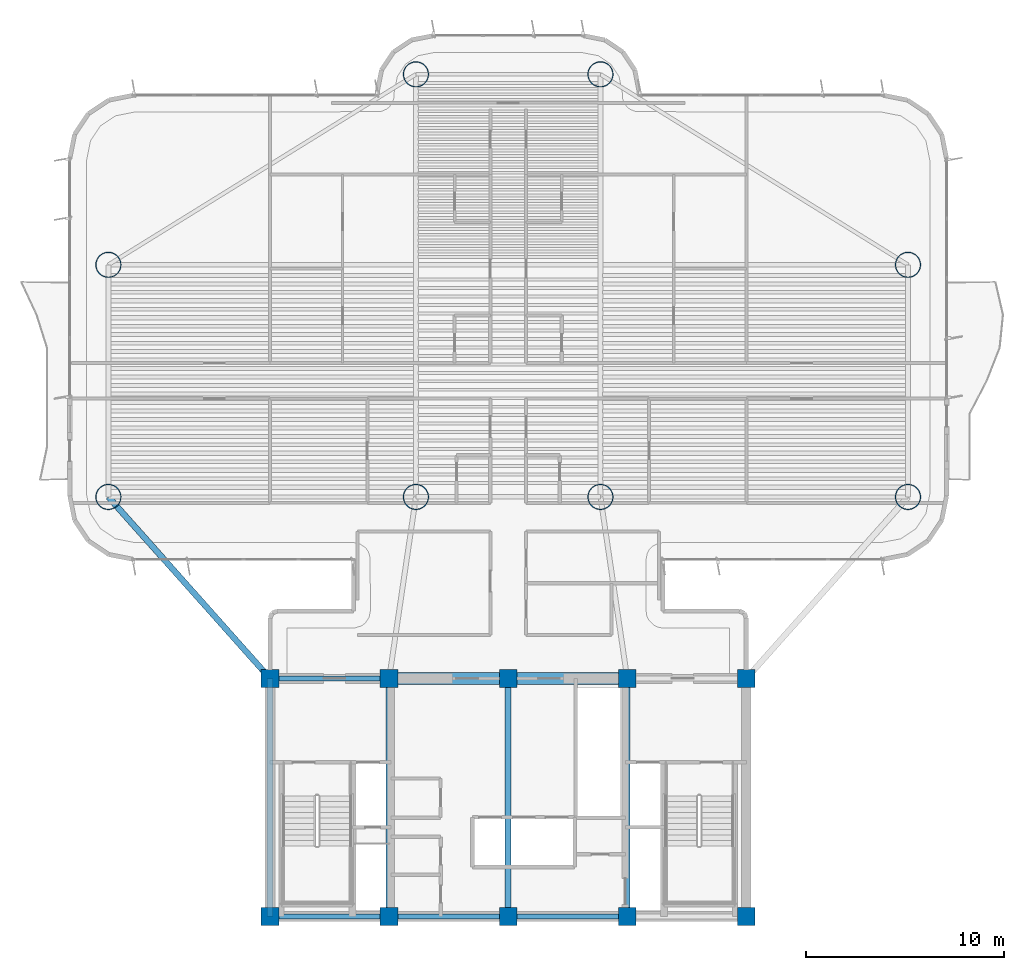
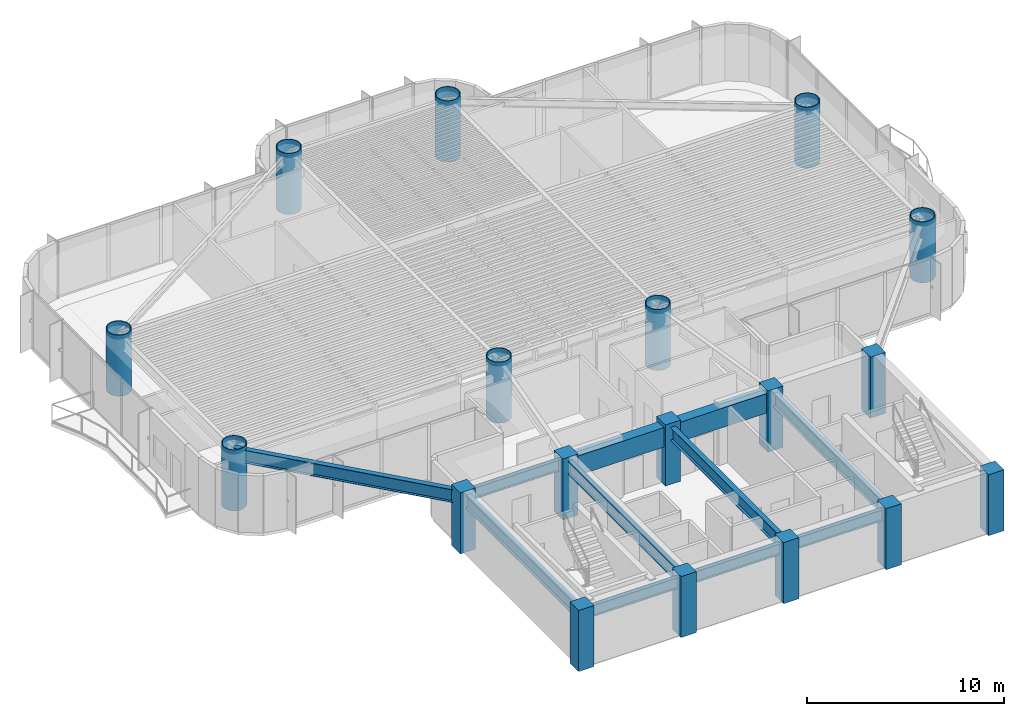
# One storey, part 1 of 17: 18 columns, 10 beams.
"""IFC4 building model written with IfcOpenShell, lengths in metres."""

from ifc_helpers import new_model, si_unit, direction, frame, origin, origin_2d, place, context, subcontext, project, spatial, rectangle, hollow_circle, i_section, extrude, source, transform, mapped, material, material_profile, profile_set, type_object, element, save


model = new_model("IFC4")

# Units and contexts
model_context = context("Model", 3, precision=1e-05, world=origin(), true_north=direction((0.0, 1.0)))
body_context = subcontext(model_context, "Body", "Model", "MODEL_VIEW")
ifc_project = project(units=[si_unit("LENGTHUNIT", "METRE"), si_unit("AREAUNIT", "SQUARE_METRE"), si_unit("VOLUMEUNIT", "CUBIC_METRE"), si_unit("PLANEANGLEUNIT", "RADIAN"), si_unit("MASSUNIT", "GRAM", prefix="KILO")], contexts=[model_context])

# Site, building, storey
site_placement = place(None, origin())
site = spatial("IfcSite", under=ifc_project, at=site_placement, CompositionType="ELEMENT")
building_placement = place(site_placement, origin())
building = spatial("IfcBuilding", under=site, at=building_placement, Name="Brelvock Crest Care Tower", CompositionType="ELEMENT")
storey_placement = place(building_placement, frame((0.0, 0.0, 93.60009765625)))
storey = spatial("IfcBuildingStorey", under=building, at=storey_placement, Name="L23", CompositionType="ELEMENT", Elevation=93.60009765625)

# Columns
ifc_material_1 = material(Name="Concrete S80 (80 MPa)", Category="concrete")
ifc_material_profile_1 = material_profile(ifc_material_1, rectangle(XDim=0.89990234375, YDim=0.89990234375, at=origin_2d()), Name="RC900x900")
ifc_profile_set_1 = profile_set([ifc_material_profile_1], Name="Concrete S80 (80 MPa)")
column_type_1 = type_object("IfcColumnType", Name="COL-RC2", PredefinedType="COLUMN", material=ifc_profile_set_1)
shared_shape_1 = source(origin(), body_context, "Body", "SweptSolid", [
    extrude(rectangle(XDim=0.89990234375, YDim=0.89990234375, at=origin_2d()), origin(), (0.0, 0.0, 1.0), 3.77978515625),
])
for number, where, z_axis, x_axis, name in (
    (1, (24.0, 6.0, 0.0), (0.0, 0.0, 1.0), (1.0, 0.0, 0.0), "L23 Core Column CC-01"),
    (2, (30.0, 6.0, 0.0), (0.0, 0.0, 1.0), (1.0, 0.0, 0.0), "L23 Core Column CC-02"),
    (3, (36.0, 6.0, 0.0), (0.0, 0.0, 1.0), (1.0, 0.0, 0.0), "L23 Core Column CC-03"),
    (4, (42.0, 6.0, 0.0), (0.0, 0.0, 1.0), (1.0, 0.0, 0.0), "L23 Core Column CC-04"),
    (5, (48.0, 6.0, 0.0), (0.0, 0.0, 1.0), (1.0, 0.0, 0.0), "L23 Core Column CC-05"),
    (6, (24.0, 18.0, 0.0), (0.0, 0.0, 1.0), (1.0, 0.0, 0.0), "L23 Core Column CC-06"),
    (7, (30.0, 18.0, 0.0), (0.0, 0.0, 1.0), (1.0, 0.0, 0.0), "L23 Core Column CC-07"),
    (8, (36.0, 18.0, 0.0), (0.0, 0.0, 1.0), (1.0, 0.0, 0.0), "L23 Core Column CC-08"),
    (9, (42.0, 18.0, 0.0), (0.0, 0.0, 1.0), (1.0, 0.0, 0.0), "L23 Core Column CC-09"),
    (10, (48.0, 18.0, 0.0), (0.0, 0.0, 1.0), (1.0, 0.0, 0.0), "L23 Core Column CC-10"),
):
    element("IfcColumn", number, at=place(storey_placement, frame(where, z_axis=z_axis, x_axis=x_axis)), inside=storey, type_object=column_type_1, Name=name, PredefinedType="COLUMN", context=body_context, shape_type="MappedRepresentation", body=[
        mapped(shared_shape_1, transform((0.0, 0.0, 0.0), x_axis=(1.0, 0.0, 0.0), y_axis=(0.0, 1.0, 0.0), z_axis=(0.0, 0.0, 1.0), scale=1.0)),
    ])
ifc_material_2 = material(Name="Steel Grade 350", Category="steel")
ifc_material_profile_2 = material_profile(ifc_material_2, hollow_circle(Radius=0.64990234375, WallThickness=0.044921875, at=origin_2d()), Name="CFT1300x45")
ifc_profile_set_2 = profile_set([ifc_material_profile_2], Name="Steel Grade 350")
column_type_2 = type_object("IfcColumnType", Name="COL-MC2", PredefinedType="COLUMN", material=ifc_profile_set_2)
shared_shape_2 = source(origin(), body_context, "Body", "SweptSolid", [
    extrude(hollow_circle(Radius=0.64990234375, WallThickness=0.044921875, at=origin_2d()), origin(), (0.0, 0.0, 1.0), 3.77978515625),
])
for number, where, z_axis, x_axis, name in (
    (11, (15.85009765625, 27.14990234375, 0.0), (0.0, 0.0, 1.0), (1.0, 0.0, 0.0), "L23 Tower Column M1"),
    (12, (15.85009765625, 38.85009765625, 0.0), (0.0, 0.0, 1.0), (1.0, 0.0, 0.0), "L23 Tower Column M2"),
    (13, (56.14990234375, 27.14990234375, 0.0), (0.0, 0.0, 1.0), (1.0, 0.0, 0.0), "L23 Tower Column M3"),
    (14, (56.14990234375, 38.85009765625, 0.0), (0.0, 0.0, 1.0), (1.0, 0.0, 0.0), "L23 Tower Column M4"),
    (15, (31.35009765625, 27.14990234375, 0.0), (0.0, 0.0, 1.0), (1.0, 0.0, 0.0), "L23 Tower Column M5"),
    (16, (40.64990234375, 27.14990234375, 0.0), (0.0, 0.0, 1.0), (1.0, 0.0, 0.0), "L23 Tower Column M6"),
    (17, (31.35009765625, 48.449951171875, 0.0), (0.0, 0.0, 1.0), (1.0, 0.0, 0.0), "L23 Tower Column M7"),
    (18, (40.64990234375, 48.449951171875, 0.0), (0.0, 0.0, 1.0), (1.0, 0.0, 0.0), "L23 Tower Column M8"),
):
    element("IfcColumn", number, at=place(storey_placement, frame(where, z_axis=z_axis, x_axis=x_axis)), inside=storey, type_object=column_type_2, Name=name, PredefinedType="COLUMN", context=body_context, shape_type="MappedRepresentation", body=[
        mapped(shared_shape_2, transform((0.0, 0.0, 0.0), x_axis=(1.0, 0.0, 0.0), y_axis=(0.0, 1.0, 0.0), z_axis=(0.0, 0.0, 1.0), scale=1.0)),
    ])

# Beams
ifc_material_profile_3 = material_profile(ifc_material_1, rectangle(XDim=0.60009765625, YDim=1.199951171875, at=origin_2d()), Name="RC600x1200")
ifc_profile_set_3 = profile_set([ifc_material_profile_3], Name="Concrete S80 (80 MPa)")
beam_type_1 = type_object("IfcBeamType", Name="BM-LN1", PredefinedType="LINTEL", material=ifc_profile_set_3)
shared_shape_3 = source(origin(), body_context, "Body", "SweptSolid", [
    extrude(rectangle(XDim=0.60009765625, YDim=1.199951171875, at=origin_2d()), origin(), (0.0, 0.0, 1.0), 12.0),
])
beam_1_placement = place(storey_placement, frame((30.0, 18.0, 2.929931640625), z_axis=(1.0, 0.0, 0.0), x_axis=(0.0, 1.0, 0.0)))
element("IfcBeam", 19, at=beam_1_placement, inside=storey, type_object=beam_type_1, Name="L23 Core Coupling Lintel Beam", PredefinedType="LINTEL", context=body_context, shape_type="MappedRepresentation", body=[
    mapped(shared_shape_3, transform((0.0, 0.0, 0.0), x_axis=(1.0, 0.0, 0.0), y_axis=(0.0, 1.0, 0.0), z_axis=(0.0, 0.0, 1.0), scale=1.0)),
])
ifc_material_profile_4 = material_profile(ifc_material_2, i_section(OverallWidth=0.25, OverallDepth=0.699951171875, WebThickness=0.011962890625, FlangeThickness=0.02001953125, at=origin_2d()), Name="700WB150")
ifc_profile_set_4 = profile_set([ifc_material_profile_4], Name="Steel Grade 350")
beam_type_2 = type_object("IfcBeamType", Name="BM-G4", PredefinedType="BEAM", material=ifc_profile_set_4)
shared_shape_4 = source(origin(), body_context, "Body", "SweptSolid", [
    extrude(i_section(OverallWidth=0.25, OverallDepth=0.699951171875, WebThickness=0.011962890625, FlangeThickness=0.02001953125, at=origin_2d()), origin(), (0.0, 0.0, 1.0), 6.0),
])
for number, where, z_axis, x_axis, name in (
    (20, (24.0, 6.0, 3.179931640625), (1.0, 0.0, 0.0), (0.0, 1.0, 0.0), "BM-CORES-L23-1"),
    (21, (24.0, 18.0, 3.179931640625), (1.0, 0.0, 0.0), (0.0, 1.0, 0.0), "BM-COREN-L23-1"),
    (22, (30.0, 6.0, 3.179931640625), (1.0, 0.0, 0.0), (0.0, 1.0, 0.0), "BM-CORES-L23-2"),
    (23, (36.0, 6.0, 3.179931640625), (1.0, 0.0, 0.0), (0.0, 1.0, 0.0), "BM-CORES-L23-3"),
):
    element("IfcBeam", number, at=place(storey_placement, frame(where, z_axis=z_axis, x_axis=x_axis)), inside=storey, type_object=beam_type_2, Name=name, PredefinedType="BEAM", context=body_context, shape_type="MappedRepresentation", body=[
        mapped(shared_shape_4, transform((0.0, 0.0, 0.0), x_axis=(1.0, 0.0, 0.0), y_axis=(0.0, 1.0, 0.0), z_axis=(0.0, 0.0, 1.0), scale=1.0)),
    ])
ifc_material_profile_5 = material_profile(ifc_material_2, i_section(OverallWidth=0.300048828125, OverallDepth=0.800048828125, WebThickness=0.013916015625, FlangeThickness=0.02197265625, at=origin_2d()), Name="800WB192")
ifc_profile_set_5 = profile_set([ifc_material_profile_5], Name="Steel Grade 350")
beam_type_3 = type_object("IfcBeamType", Name="BM-G5", PredefinedType="BEAM", material=ifc_profile_set_5)
shared_shape_5 = source(origin(), body_context, "Body", "SweptSolid", [
    extrude(i_section(OverallWidth=0.300048828125, OverallDepth=0.800048828125, WebThickness=0.013916015625, FlangeThickness=0.02197265625, at=origin_2d()), origin(), (0.0, 0.0, 1.0), 12.0),
])
for number, where, z_axis, x_axis, name in (
    (24, (24.0, 6.0, 3.1298828125), (0.0, 1.0, 0.0), (-1.0, 0.0, 0.0), "BM-COREX-L23-1"),
    (25, (30.0, 6.0, 3.1298828125), (0.0, 1.0, 0.0), (-1.0, 0.0, 0.0), "BM-COREX-L23-2"),
    (26, (36.0, 6.0, 3.1298828125), (0.0, 1.0, 0.0), (-1.0, 0.0, 0.0), "BM-COREX-L23-3"),
    (27, (42.0, 6.0, 3.1298828125), (0.0, 1.0, 0.0), (-1.0, 0.0, 0.0), "BM-COREX-L23-4"),
):
    element("IfcBeam", number, at=place(storey_placement, frame(where, z_axis=z_axis, x_axis=x_axis)), inside=storey, type_object=beam_type_3, Name=name, PredefinedType="BEAM", context=body_context, shape_type="MappedRepresentation", body=[
        mapped(shared_shape_5, transform((0.0, 0.0, 0.0), x_axis=(1.0, 0.0, 0.0), y_axis=(0.0, 1.0, 0.0), z_axis=(0.0, 0.0, 1.0), scale=1.0)),
    ])
shared_shape_6 = source(origin(), body_context, "Body", "SweptSolid", [
    extrude(i_section(OverallWidth=0.300048828125, OverallDepth=0.800048828125, WebThickness=0.013916015625, FlangeThickness=0.02197265625, at=origin_2d()), origin(), (0.0, 0.0, 1.0), 12.253173828125),
])
beam_2_placement = place(storey_placement, frame((24.0, 18.0, 3.1298828125), z_axis=(-0.665122829149, 0.746733970129, 0.0), x_axis=(-0.746733970129, -0.665122829149, 0.0)))
element("IfcBeam", 28, at=beam_2_placement, inside=storey, type_object=beam_type_3, Name="BM-THRO-W-L23", PredefinedType="BEAM", context=body_context, shape_type="MappedRepresentation", body=[
    mapped(shared_shape_6, transform((0.0, 0.0, 0.0), x_axis=(1.0, 0.0, 0.0), y_axis=(0.0, 1.0, 0.0), z_axis=(0.0, 0.0, 1.0), scale=1.0)),
])

save(model, "model.ifc")
